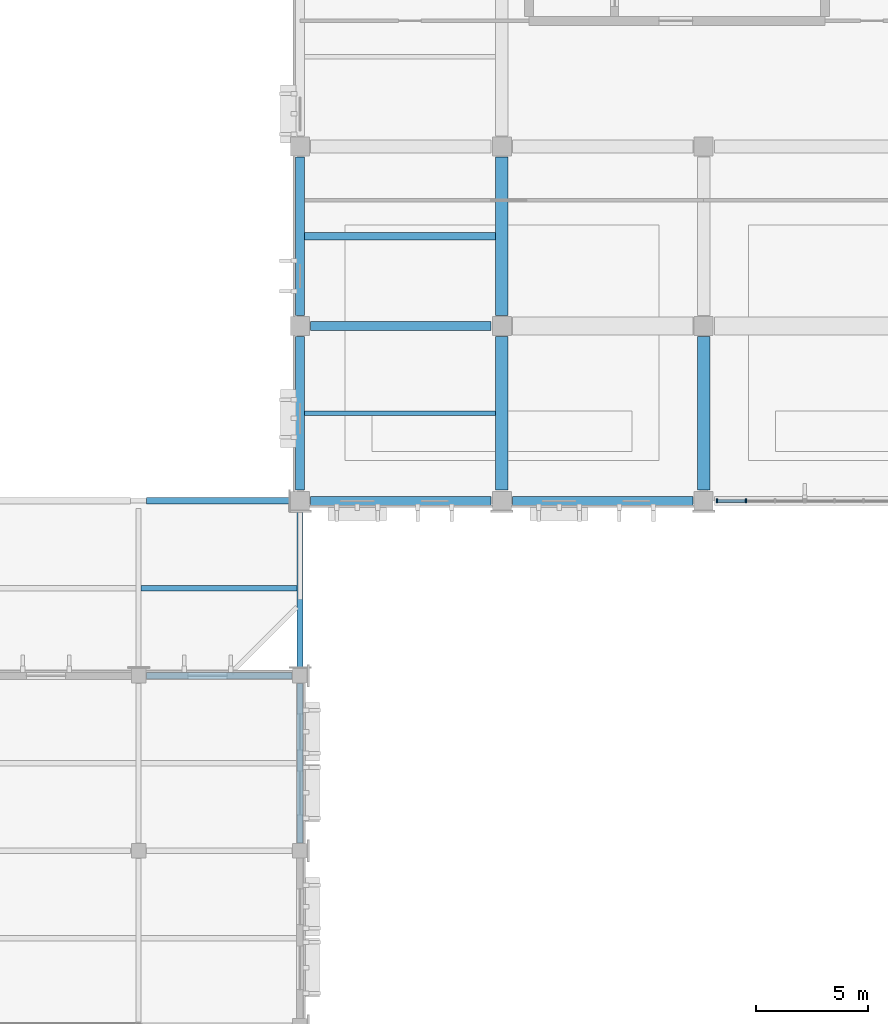
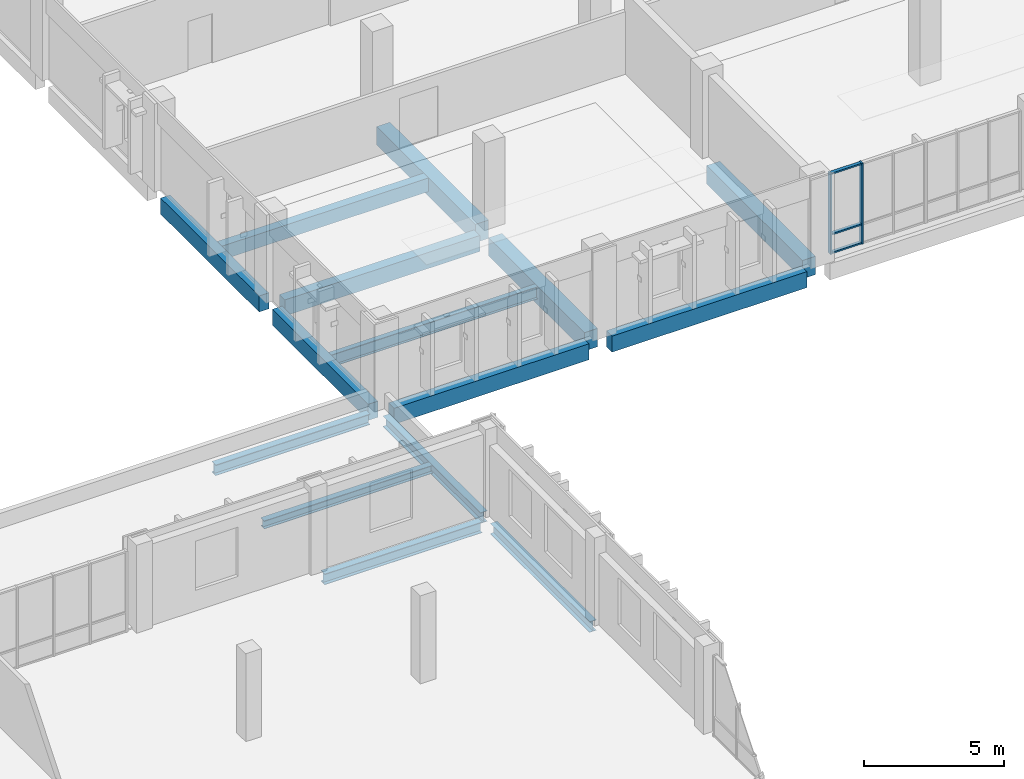
# One storey, part 28 of 85: 15 beams, 5 members, 1 element without a shape of its own.
"""IFC4 building model written with IfcOpenShell, lengths in metres."""

from ifc_helpers import new_model, si_unit, direction, frame, origin, origin_2d, place, context, subcontext, project, spatial, rectangle, i_section, extrude, material, material_profile, profile_set, type_object, element, aggregate, save


model = new_model("IFC4")

# Units and contexts
model_context = context("Model", 3, precision=1e-05, world=origin(), true_north=direction((0.0, 1.0)))
body_context = subcontext(model_context, "Body", "Model", "MODEL_VIEW")
ifc_project = project(units=[si_unit("LENGTHUNIT", "METRE"), si_unit("AREAUNIT", "SQUARE_METRE"), si_unit("VOLUMEUNIT", "CUBIC_METRE"), si_unit("PLANEANGLEUNIT", "RADIAN"), si_unit("MASSUNIT", "GRAM", prefix="KILO")], contexts=[model_context])

# Site, building, storey
site_placement = place(None, origin())
site = spatial("IfcSite", under=ifc_project, at=site_placement, CompositionType="ELEMENT")
building_placement = place(site_placement, origin())
building = spatial("IfcBuilding", under=site, at=building_placement, Name="Vervanel Yard Central Library", CompositionType="ELEMENT")
storey_placement = place(building_placement, frame((0.0, 0.0, 5.10009765625)))
storey = spatial("IfcBuildingStorey", under=building, at=storey_placement, Name="L01", CompositionType="ELEMENT", Elevation=5.10009765625)

# Beams
ifc_material_1 = material(Name="Concrete C40/50", Category="concrete")
ifc_material_profile_1 = material_profile(ifc_material_1, rectangle(XDim=0.39990234375, YDim=0.699951171875, at=origin_2d()), Name="RC 400x700", Category="concrete")
ifc_profile_set_1 = profile_set([ifc_material_profile_1], Name="Concrete C40/50")
beam_type_1 = type_object("IfcBeamType", Name="Concrete Perimeter Spandrel 400x700", PredefinedType="SPANDREL", material=ifc_profile_set_1)
for number, where, z_axis, x_axis, name in (
    (1, (36.47509765625, 82.199951171875, -0.655029296875), (1.0, 0.0, 0.0), (0.0, 1.0, 0.0), "L01 Girder SP-01 Y=82.2 X=36.0-45.0"),
    (2, (45.47509765625, 82.199951171875, -0.655029296875), (1.0, 0.0, 0.0), (0.0, 1.0, 0.0), "L01 Girder SP-01 Y=82.2 X=45.0-54.0"),
    (3, (36.47509765625, 90.0, -0.655029296875), (1.0, 0.0, 0.0), (0.0, 1.0, 0.0), "L01 Girder SP-01 Y=90.0 X=36.0-45.0"),
):
    element("IfcBeam", number, at=place(storey_placement, frame(where, z_axis=z_axis, x_axis=x_axis)), inside=storey, type_object=beam_type_1, Name=name, PredefinedType="SPANDREL", context=body_context, shape_type="SweptSolid", body=[
        extrude(rectangle(XDim=0.39990234375, YDim=0.699951171875, at=origin_2d()), origin(), (0.0, 0.0, 1.0), 8.0498046875),
    ])
beam_1_placement = place(storey_placement, frame((36.0, 82.675048828125, -0.655029296875), z_axis=(0.0, 1.0, 0.0), x_axis=(-1.0, 0.0, 0.0)))
element("IfcBeam", 4, at=beam_1_placement, inside=storey, type_object=beam_type_1, Name="L01 Girder SP-01 X=36.0 Y=82.2-90.0", PredefinedType="SPANDREL", context=body_context, shape_type="SweptSolid", body=[
    extrude(rectangle(XDim=0.39990234375, YDim=0.699951171875, at=origin_2d()), origin(), (0.0, 0.0, 1.0), 6.849853515625),
])
beam_2_placement = place(storey_placement, frame((36.0, 90.47509765625, -0.655029296875), z_axis=(0.0, 1.0, 0.0), x_axis=(-1.0, 0.0, 0.0)))
element("IfcBeam", 5, at=beam_2_placement, inside=storey, type_object=beam_type_1, Name="L01 Girder SP-01 X=36.0 Y=90.0-98.0", PredefinedType="SPANDREL", context=body_context, shape_type="SweptSolid", body=[
    extrude(rectangle(XDim=0.39990234375, YDim=0.699951171875, at=origin_2d()), origin(), (0.0, 0.0, 1.0), 7.0498046875),
])
ifc_material_profile_2 = material_profile(ifc_material_1, rectangle(XDim=0.550048828125, YDim=0.800048828125, at=origin_2d()), Name="RC 550x800", Category="concrete")
ifc_profile_set_2 = profile_set([ifc_material_profile_2], Name="Concrete C40/50")
beam_type_2 = type_object("IfcBeamType", Name="Concrete Primary Girder 550x800", PredefinedType="BEAM", material=ifc_profile_set_2)
beam_3_placement = place(storey_placement, frame((45.0, 82.675048828125, -0.705078125), z_axis=(0.0, 1.0, 0.0), x_axis=(-1.0, 0.0, 0.0)))
element("IfcBeam", 6, at=beam_3_placement, inside=storey, type_object=beam_type_2, Name="L01 Girder CB-02 X=45.0 Y=82.2-90.0", PredefinedType="BEAM", context=body_context, shape_type="SweptSolid", body=[
    extrude(rectangle(XDim=0.550048828125, YDim=0.800048828125, at=origin_2d()), origin(), (0.0, 0.0, 1.0), 6.849853515625),
])
beam_4_placement = place(storey_placement, frame((45.0, 90.47509765625, -0.705078125), z_axis=(0.0, 1.0, 0.0), x_axis=(-1.0, 0.0, 0.0)))
element("IfcBeam", 7, at=beam_4_placement, inside=storey, type_object=beam_type_2, Name="L01 Girder CB-02 X=45.0 Y=90.0-98.0", PredefinedType="BEAM", context=body_context, shape_type="SweptSolid", body=[
    extrude(rectangle(XDim=0.550048828125, YDim=0.800048828125, at=origin_2d()), origin(), (0.0, 0.0, 1.0), 7.0498046875),
])
beam_5_placement = place(storey_placement, frame((54.0, 82.675048828125, -0.705078125), z_axis=(0.0, 1.0, 0.0), x_axis=(-1.0, 0.0, 0.0)))
element("IfcBeam", 8, at=beam_5_placement, inside=storey, type_object=beam_type_2, Name="L01 Girder CB-02 X=54.0 Y=82.2-90.0", PredefinedType="BEAM", context=body_context, shape_type="SweptSolid", body=[
    extrude(rectangle(XDim=0.550048828125, YDim=0.800048828125, at=origin_2d()), origin(), (0.0, 0.0, 1.0), 6.849853515625),
])
ifc_material_profile_3 = material_profile(ifc_material_1, rectangle(XDim=0.35009765625, YDim=0.60009765625, at=origin_2d()), Name="RC 350x600", Category="concrete")
ifc_profile_set_3 = profile_set([ifc_material_profile_3], Name="Concrete C40/50")
beam_type_3 = type_object("IfcBeamType", Name="Concrete Secondary Joist 350x600", PredefinedType="JOIST", material=ifc_profile_set_3)
beam_6_placement = place(storey_placement, frame((36.199951171875, 94.0, -0.60498046875), z_axis=(1.0, 0.0, 0.0), x_axis=(0.0, 1.0, 0.0)))
element("IfcBeam", 9, at=beam_6_placement, inside=storey, type_object=beam_type_3, Name="L01 Floor Joist CJ-01 Y=94.00 X=36.0-45.0", PredefinedType="JOIST", context=body_context, shape_type="SweptSolid", body=[
    extrude(rectangle(XDim=0.35009765625, YDim=0.60009765625, at=origin_2d()), origin(), (0.0, 0.0, 1.0), 8.525146484375),
])

# Curtain wall, members
ifc_material_2 = material(Name="Thermally broken anodized aluminium 6063-T6", Category="aluminium")
curtain_wall_type = type_object("IfcCurtainWallType", Name="Atrium Courtyard Curtain Wall", PredefinedType="NOTDEFINED", material=ifc_material_2)
curtain_wall_placement = place(storey_placement, origin())
curtain_wall = element("IfcCurtainWall", 10, at=curtain_wall_placement, inside=storey, type_object=curtain_wall_type, Name="L01 Atrium Courtyard Curtain Wall CWR-L01-001", PredefinedType="NOTDEFINED")
ifc_material_profile_4 = material_profile(ifc_material_2, rectangle(XDim=0.06494140625, YDim=0.18994140625, at=origin_2d()), Name="ALU 65x190", Category="aluminium")
ifc_profile_set_4 = profile_set([ifc_material_profile_4], Name="Thermally broken anodized aluminium 6063-T6")
member_type_1 = type_object("IfcMemberType", Name="Curtain Wall Primary Mullion 65x190", PredefinedType="MULLION", material=ifc_profile_set_4)
member_1_placement = place(storey_placement, frame((54.592529296875, 82.199951171875, 0.0), z_axis=(0.0, 0.0, 1.0), x_axis=(1.0, 0.0, 0.0)))
member_1 = element("IfcMember", 11, at=member_1_placement, type_object=member_type_1, Name="CWR-L01-001 Mullion 1", PredefinedType="MULLION", context=body_context, shape_type="SweptSolid", body=[
    extrude(rectangle(XDim=0.06494140625, YDim=0.18994140625, at=origin_2d()), origin(), (0.0, 0.0, 1.0), 3.52978515625),
])
member_2_placement = place(storey_placement, frame((55.88427734375, 82.199951171875, 0.0), z_axis=(0.0, 0.0, 1.0), x_axis=(1.0, 0.0, 0.0)))
member_2 = element("IfcMember", 12, at=member_2_placement, type_object=member_type_1, Name="CWR-L01-001 Mullion 2", PredefinedType="MULLION", context=body_context, shape_type="SweptSolid", body=[
    extrude(rectangle(XDim=0.06494140625, YDim=0.18994140625, at=origin_2d()), origin(), (0.0, 0.0, 1.0), 3.52978515625),
])
ifc_material_profile_5 = material_profile(ifc_material_2, rectangle(XDim=0.06494140625, YDim=0.139892578125, at=origin_2d()), Name="ALU 65x140", Category="aluminium")
ifc_profile_set_5 = profile_set([ifc_material_profile_5], Name="Thermally broken anodized aluminium 6063-T6")
member_type_2 = type_object("IfcMemberType", Name="Curtain Wall Transom 65x140", PredefinedType="NOTDEFINED", material=ifc_profile_set_5)
member_3_placement = place(storey_placement, frame((54.625, 82.199951171875, 0.032470703125), z_axis=(1.0, 0.0, 0.0), x_axis=(0.0, 0.0, 1.0)))
member_3 = element("IfcMember", 13, at=member_3_placement, type_object=member_type_2, Name="CWR-L01-001 Transom B1-T1", ObjectType="TRANSOM", PredefinedType="USERDEFINED", context=body_context, shape_type="SweptSolid", body=[
    extrude(rectangle(XDim=0.06494140625, YDim=0.139892578125, at=origin_2d()), origin(), (0.0, 0.0, 1.0), 1.2265625),
])
member_4_placement = place(storey_placement, frame((54.625, 82.199951171875, 0.849853515625), z_axis=(1.0, 0.0, 0.0), x_axis=(0.0, 0.0, 1.0)))
member_4 = element("IfcMember", 14, at=member_4_placement, type_object=member_type_2, Name="CWR-L01-001 Transom B1-T2", ObjectType="TRANSOM", PredefinedType="USERDEFINED", context=body_context, shape_type="SweptSolid", body=[
    extrude(rectangle(XDim=0.06494140625, YDim=0.139892578125, at=origin_2d()), origin(), (0.0, 0.0, 1.0), 1.2265625),
])
member_5_placement = place(storey_placement, frame((54.625, 82.199951171875, 3.497314453125), z_axis=(1.0, 0.0, 0.0), x_axis=(0.0, 0.0, 1.0)))
member_5 = element("IfcMember", 15, at=member_5_placement, type_object=member_type_2, Name="CWR-L01-001 Transom B1-T3", ObjectType="TRANSOM", PredefinedType="USERDEFINED", context=body_context, shape_type="SweptSolid", body=[
    extrude(rectangle(XDim=0.06494140625, YDim=0.139892578125, at=origin_2d()), origin(), (0.0, 0.0, 1.0), 1.2265625),
])
aggregate(curtain_wall, [member_1, member_2, member_3, member_4, member_5])

# Beams
ifc_material_3 = material(Name="Steel ASTM A992 Grade 50", Category="steel")
ifc_material_profile_6 = material_profile(ifc_material_3, i_section(OverallWidth=0.25390625, OverallDepth=0.355712890625, WebThickness=0.010498046875, FlangeThickness=0.018310546875, at=origin_2d()), Name="W14X68", Category="steel")
ifc_profile_set_6 = profile_set([ifc_material_profile_6], Name="Steel ASTM A992 Grade 50")
beam_type_4 = type_object("IfcBeamType", Name="Steel Atrium Edge Joist W14X68", PredefinedType="JOIST", material=ifc_profile_set_6)
beam_7_placement = place(storey_placement, frame((28.91455078125, 78.300048828125, -0.432861328125), z_axis=(1.0, 0.0, 0.0), x_axis=(0.0, 1.0, 0.0)))
element("IfcBeam", 16, at=beam_7_placement, inside=storey, type_object=beam_type_4, Name="L01 Floor Joist SJ-06 Y=78.30 X=28.8-36.0", PredefinedType="JOIST", context=body_context, shape_type="SweptSolid", body=[
    extrude(i_section(OverallWidth=0.25390625, OverallDepth=0.355712890625, WebThickness=0.010498046875, FlangeThickness=0.018310546875, at=origin_2d()), origin(), (0.0, 0.0, 1.0), 6.9443359375),
])
ifc_material_profile_7 = material_profile(ifc_material_3, i_section(OverallWidth=0.281982421875, OverallDepth=0.46728515625, WebThickness=0.01220703125, FlangeThickness=0.01953125, at=origin_2d()), Name="W18X86", Category="steel")
ifc_profile_set_7 = profile_set([ifc_material_profile_7], Name="Steel ASTM A992 Grade 50")
beam_type_5 = type_object("IfcBeamType", Name="Steel Spandrel Beam W18X86", PredefinedType="SPANDREL", material=ifc_profile_set_7)
beam_8_placement = place(storey_placement, frame((29.14990234375, 74.39990234375, -0.518798828125), z_axis=(1.0, 0.0, 0.0), x_axis=(0.0, 1.0, 0.0)))
element("IfcBeam", 17, at=beam_8_placement, inside=storey, type_object=beam_type_5, Name="L01 Girder SP-02 Y=74.4 X=28.8-36.0", PredefinedType="SPANDREL", context=body_context, shape_type="SweptSolid", body=[
    extrude(i_section(OverallWidth=0.281982421875, OverallDepth=0.46728515625, WebThickness=0.01220703125, FlangeThickness=0.01953125, at=origin_2d()), origin(), (0.0, 0.0, 1.0), 6.5),
])
beam_9_placement = place(storey_placement, frame((29.14990234375, 82.199951171875, -0.48876953125), z_axis=(1.0, 0.0, 0.0), x_axis=(0.0, 1.0, 0.0)))
element("IfcBeam", 18, at=beam_9_placement, inside=storey, type_object=beam_type_5, Name="L01 Girder SP-02 Y=82.2 X=28.8-36.0", PredefinedType="SPANDREL", context=body_context, shape_type="SweptSolid", body=[
    extrude(i_section(OverallWidth=0.281982421875, OverallDepth=0.46728515625, WebThickness=0.01220703125, FlangeThickness=0.01953125, at=origin_2d()), origin(), (0.0, 0.0, 1.0), 6.375),
])
beam_10_placement = place(storey_placement, frame((36.0, 66.949951171875, -0.518798828125), z_axis=(0.0, 1.0, 0.0), x_axis=(-1.0, 0.0, 0.0)))
element("IfcBeam", 19, at=beam_10_placement, inside=storey, type_object=beam_type_5, Name="L01 Girder SP-02 X=36.0 Y=66.6-74.4", PredefinedType="SPANDREL", context=body_context, shape_type="SweptSolid", body=[
    extrude(i_section(OverallWidth=0.281982421875, OverallDepth=0.46728515625, WebThickness=0.01220703125, FlangeThickness=0.01953125, at=origin_2d()), origin(), (0.0, 0.0, 1.0), 7.10009765625),
])
beam_11_placement = place(storey_placement, frame((36.0, 74.75, -0.48876953125), z_axis=(0.0, 1.0, 0.0), x_axis=(-1.0, 0.0, 0.0)))
element("IfcBeam", 20, at=beam_11_placement, inside=storey, type_object=beam_type_5, Name="L01 Girder SP-02 X=36.0 Y=74.4-82.2", PredefinedType="SPANDREL", context=body_context, shape_type="SweptSolid", body=[
    extrude(i_section(OverallWidth=0.281982421875, OverallDepth=0.46728515625, WebThickness=0.01220703125, FlangeThickness=0.01953125, at=origin_2d()), origin(), (0.0, 0.0, 1.0), 6.97509765625),
])
ifc_material_profile_8 = material_profile(ifc_material_3, i_section(OverallWidth=0.2099609375, OverallDepth=0.535888671875, WebThickness=0.010986328125, FlangeThickness=0.017333984375, at=origin_2d()), Name="W21X68", Category="steel")
ifc_profile_set_8 = profile_set([ifc_material_profile_8], Name="Steel ASTM A992 Grade 50")
beam_type_6 = type_object("IfcBeamType", Name="Steel Stack Floor Joist W21X68", PredefinedType="JOIST", material=ifc_profile_set_8)
beam_12_placement = place(storey_placement, frame((36.199951171875, 86.10009765625, -0.572998046875), z_axis=(1.0, 0.0, 0.0), x_axis=(0.0, 1.0, 0.0)))
element("IfcBeam", 21, at=beam_12_placement, inside=storey, type_object=beam_type_6, Name="L01 Floor Joist SJ-04 Y=86.10 X=36.0-45.0", PredefinedType="JOIST", context=body_context, shape_type="SweptSolid", body=[
    extrude(i_section(OverallWidth=0.2099609375, OverallDepth=0.535888671875, WebThickness=0.010986328125, FlangeThickness=0.017333984375, at=origin_2d()), origin(), (0.0, 0.0, 1.0), 8.525146484375),
])

save(model, "model.ifc")
